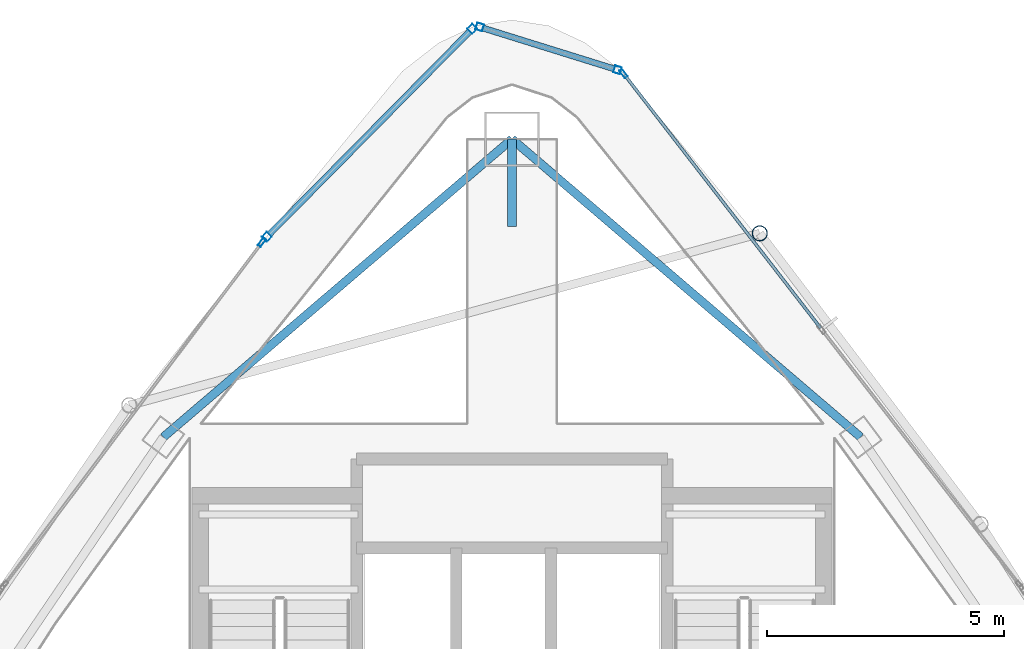
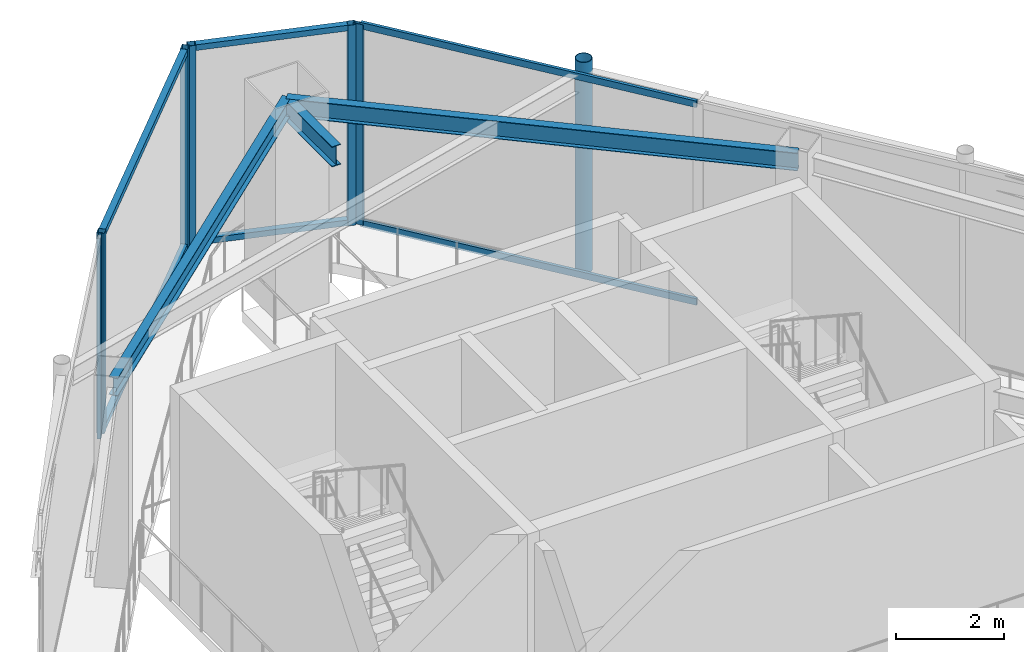
# One storey, part 14 of 19: 13 members, 3 beams, 4 elements without a shape of their own.
"""IFC4 building model written with IfcOpenShell, lengths in metres."""

from ifc_helpers import new_model, si_unit, direction, frame, origin, origin_2d, place, context, subcontext, project, spatial, hollow_rectangle, hollow_circle, i_section, extrude, material, layer, layer_set, material_profile, profile_set, type_object, element, aggregate, save


model = new_model("IFC4")

# Units and contexts
model_context = context("Model", 3, precision=1e-05, world=origin(), true_north=direction((0.0, 1.0)))
body_context = subcontext(model_context, "Body", "Model", "MODEL_VIEW")
ifc_project = project(units=[si_unit("LENGTHUNIT", "METRE"), si_unit("AREAUNIT", "SQUARE_METRE"), si_unit("VOLUMEUNIT", "CUBIC_METRE"), si_unit("PLANEANGLEUNIT", "RADIAN"), si_unit("MASSUNIT", "GRAM", prefix="KILO")], contexts=[model_context])

# Site, building, storey
site_placement = place(None, origin())
site = spatial("IfcSite", under=ifc_project, at=site_placement, CompositionType="ELEMENT")
building_placement = place(site_placement, origin())
building = spatial("IfcBuilding", under=site, at=building_placement, Name="Orvanel Arch Residences", CompositionType="ELEMENT")
storey_placement = place(building_placement, frame((0.0, 0.0, 295.699951171875)))
storey = spatial("IfcBuildingStorey", under=building, at=storey_placement, Name="L83", CompositionType="ELEMENT", Elevation=295.699951171875)

# Beam
ifc_material_1 = material(Name="Structural steel AS/NZS 3679.1 Grade 300 (300 MPa)", Category="steel")
ifc_material_profile_1 = material_profile(ifc_material_1, i_section(OverallWidth=0.19091796875, OverallDepth=0.4599609375, WebThickness=0.010009765625, FlangeThickness=0.01611328125, at=origin_2d()), Name="460UB82.1")
ifc_profile_set_1 = profile_set([ifc_material_profile_1], Name="Structural steel AS/NZS 3679.1 Grade 300 (300 MPa)")
beam_type_1 = type_object("IfcBeamType", Name="BG-460UB", PredefinedType="BEAM", material=ifc_profile_set_1)
beam_placement = place(storey_placement, frame((33.0, 39.550048828125, 4.320068359375), z_axis=(0.0, 1.0, 0.0), x_axis=(-1.0, 0.0, 0.0)))
element("IfcBeam", 1, at=beam_placement, inside=storey, type_object=beam_type_1, Name="L83 North Radial Girder", PredefinedType="BEAM", context=body_context, shape_type="SweptSolid", body=[
    extrude(i_section(OverallWidth=0.19091796875, OverallDepth=0.4599609375, WebThickness=0.010009765625, FlangeThickness=0.01611328125, at=origin_2d()), origin(), (0.0, 0.0, 1.0), 1.847900390625),
])

# Curtain wall, members
ifc_material_2 = material(Name="Bronze-anodised aluminium AA6063-T6", Category="aluminium")
ifc_layer = layer(ifc_material_2, 0.2099609375)
ifc_layer_set = layer_set([ifc_layer], Name="Bronze-anodised aluminium AA6063-T6")
curtain_wall_type = type_object("IfcCurtainWallType", Name="CW7-TOP-SYS", PredefinedType="NOTDEFINED", material=ifc_layer_set)
curtain_wall_1_placement = place(storey_placement, origin())
curtain_wall_1 = element("IfcCurtainWall", 2, at=curtain_wall_1_placement, inside=storey, type_object=curtain_wall_type, Name="L83 CW7-TOP-SYS Unitised Curtain Wall", PredefinedType="NOTDEFINED")
ifc_material_profile_2 = material_profile(ifc_material_2, hollow_rectangle(XDim=0.14990234375, YDim=0.14990234375, WallThickness=0.0048828125, at=origin_2d()), Name="ALU150x150x5")
ifc_profile_set_2 = profile_set([ifc_material_profile_2], Name="Bronze-anodised aluminium AA6063-T6")
member_type_1 = type_object("IfcMemberType", Name="MUL-150x150", PredefinedType="MULLION", material=ifc_profile_set_2)
member_1_placement = place(storey_placement, frame((35.224365234375, 42.856201171875, 0.0), z_axis=(0.0, 0.0, 1.0), x_axis=(-0.297187104186, -0.954819263057, 0.0)))
member_1 = element("IfcMember", 3, at=member_1_placement, type_object=member_type_1, Name="CW-S7 mullion 1", PredefinedType="MULLION", context=body_context, shape_type="SweptSolid", body=[
    extrude(hollow_rectangle(XDim=0.14990234375, YDim=0.14990234375, WallThickness=0.0048828125, at=origin_2d()), origin(), (0.0, 0.0, 1.0), 4.550048828125),
])
member_2_placement = place(storey_placement, frame((32.318603515625, 43.7607421875, 0.0), z_axis=(0.0, 0.0, 1.0), x_axis=(-0.297187104186, -0.954819263057, 0.0)))
member_2 = element("IfcMember", 4, at=member_2_placement, type_object=member_type_1, Name="CW-S7 mullion 2", PredefinedType="MULLION", context=body_context, shape_type="SweptSolid", body=[
    extrude(hollow_rectangle(XDim=0.14990234375, YDim=0.14990234375, WallThickness=0.0048828125, at=origin_2d()), origin(), (0.0, 0.0, 1.0), 4.550048828125),
])

curtain_wall_2_placement = place(storey_placement, origin())
curtain_wall_2 = element("IfcCurtainWall", 5, at=curtain_wall_2_placement, inside=storey, type_object=curtain_wall_type, Name="L83 CW7-TOP-SYS Unitised Curtain Wall", PredefinedType="NOTDEFINED")
member_3_placement = place(storey_placement, frame((32.161376953125, 43.7216796875, 0.0), z_axis=(0.0, 0.0, 1.0), x_axis=(0.71152705503, -0.702658700907, 0.0)))
member_3 = element("IfcMember", 6, at=member_3_placement, type_object=member_type_1, Name="CW-S7 mullion 1", PredefinedType="MULLION", context=body_context, shape_type="SweptSolid", body=[
    extrude(hollow_rectangle(XDim=0.14990234375, YDim=0.14990234375, WallThickness=0.0048828125, at=origin_2d()), origin(), (0.0, 0.0, 1.0), 4.550048828125),
])
member_4_placement = place(storey_placement, frame((27.82958984375, 39.33544921875, 0.0), z_axis=(0.0, 0.0, 1.0), x_axis=(0.71152705503, -0.702658700907, 0.0)))
member_4 = element("IfcMember", 7, at=member_4_placement, type_object=member_type_1, Name="CW-S7 mullion 2", PredefinedType="MULLION", context=body_context, shape_type="SweptSolid", body=[
    extrude(hollow_rectangle(XDim=0.14990234375, YDim=0.14990234375, WallThickness=0.0048828125, at=origin_2d()), origin(), (0.0, 0.0, 1.0), 4.550048828125),
])

# Curtain wall, member
curtain_wall_3_placement = place(storey_placement, origin())
curtain_wall_3 = element("IfcCurtainWall", 8, at=curtain_wall_3_placement, inside=storey, type_object=curtain_wall_type, Name="L83 CW7-TOP-SYS Unitised Curtain Wall", PredefinedType="NOTDEFINED")
ifc_material_profile_3 = material_profile(ifc_material_2, hollow_rectangle(XDim=0.074951171875, YDim=0.199951171875, WallThickness=0.0048828125, at=origin_2d()), Name="ALU200x75x5")
ifc_profile_set_3 = profile_set([ifc_material_profile_3], Name="Bronze-anodised aluminium AA6063-T6")
member_type_2 = type_object("IfcMemberType", Name="MUL-200x75", PredefinedType="MULLION", material=ifc_profile_set_3)
member_5_placement = place(storey_placement, frame((27.728515625, 39.221923828125, 0.0), z_axis=(0.0, 0.0, 1.0), x_axis=(0.799341985759, -0.600876351509, 0.0)))
member_5 = element("IfcMember", 9, at=member_5_placement, type_object=member_type_2, Name="CW-S7 mullion 1", PredefinedType="MULLION", context=body_context, shape_type="SweptSolid", body=[
    extrude(hollow_rectangle(XDim=0.074951171875, YDim=0.199951171875, WallThickness=0.0048828125, at=origin_2d()), origin(), (0.0, 0.0, 1.0), 4.550048828125),
])
aggregate(curtain_wall_3, [member_5])

curtain_wall_4_placement = place(storey_placement, origin())
curtain_wall_4 = element("IfcCurtainWall", 10, at=curtain_wall_4_placement, inside=storey, type_object=curtain_wall_type, Name="L83 CW7-TOP-SYS Unitised Curtain Wall", PredefinedType="NOTDEFINED")
member_6_placement = place(storey_placement, frame((35.349853515625, 42.782470703125, 0.0), z_axis=(0.0, 0.0, 1.0), x_axis=(-0.790656592833, -0.612259873102, 0.0)))
member_6 = element("IfcMember", 11, at=member_6_placement, type_object=member_type_2, Name="CW-S7 mullion 3", PredefinedType="MULLION", context=body_context, shape_type="SweptSolid", body=[
    extrude(hollow_rectangle(XDim=0.074951171875, YDim=0.199951171875, WallThickness=0.0048828125, at=origin_2d()), origin(), (0.0, 0.0, 1.0), 4.550048828125),
])

# Beams
ifc_material_profile_4 = material_profile(ifc_material_1, i_section(OverallWidth=0.177978515625, OverallDepth=0.406005859375, WebThickness=0.0078125, FlangeThickness=0.0126953125, at=origin_2d()), Name="410UB59.7")
ifc_profile_set_4 = profile_set([ifc_material_profile_4], Name="Structural steel AS/NZS 3679.1 Grade 300 (300 MPa)")
beam_type_2 = type_object("IfcBeamType", Name="OB-410UB", PredefinedType="SPANDREL", material=ifc_profile_set_4)
for number, where, z_axis, x_axis, name in (
    (12, (40.35205078125, 35.113037109375, 4.34716796875), (-0.760116518398, 0.649786794617, 0.0), (-0.649786794617, -0.760116518398, 0.0), "L83 Perimeter Spandrel Beam 09"),
    (13, (33.0, 41.39794921875, 4.34716796875), (-0.760116518398, -0.649786794617, 0.0), (0.649786794617, -0.760116518398, 0.0), "L83 Perimeter Spandrel Beam 10"),
):
    element("IfcBeam", number, at=place(storey_placement, frame(where, z_axis=z_axis, x_axis=x_axis)), inside=storey, type_object=beam_type_2, Name=name, PredefinedType="SPANDREL", context=body_context, shape_type="SweptSolid", body=[
        extrude(i_section(OverallWidth=0.177978515625, OverallDepth=0.406005859375, WebThickness=0.0078125, FlangeThickness=0.0126953125, at=origin_2d()), origin(), (0.0, 0.0, 1.0), 9.67236328125),
    ])

# Member
ifc_material_3 = material(Name="Structural steel AS/NZS 1163 C350L0 (Grade 350)", Category="steel")
ifc_material_profile_5 = material_profile(ifc_material_3, hollow_circle(Radius=0.162109375, WallThickness=0.0126953125, at=origin_2d()), Name="CHS324x12.7")
ifc_profile_set_5 = profile_set([ifc_material_profile_5], Name="Structural steel AS/NZS 1163 C350L0 (Grade 350)")
member_type_3 = type_object("IfcMemberType", Name="ST-324CHS-EXT", PredefinedType="STRUT", material=ifc_profile_set_5)
member_7_placement = place(storey_placement, frame((38.22412109375, 39.409912109375, 0.0), z_axis=(0.0, 0.0, 1.0), x_axis=(1.0, 0.0, 0.0)))
element("IfcMember", 14, at=member_7_placement, inside=storey, type_object=member_type_3, Name="L83 Outer Perimeter Frame Post 12", PredefinedType="STRUT", context=body_context, shape_type="SweptSolid", body=[
    extrude(hollow_circle(Radius=0.162109375, WallThickness=0.0126953125, at=origin_2d()), origin(), (0.0, 0.0, 1.0), 4.800048828125),
])

ifc_material_profile_6 = material_profile(ifc_material_2, hollow_rectangle(XDim=0.1298828125, YDim=0.1298828125, WallThickness=0.00439453125, at=origin_2d()), Name="ALU130x130x4.5")
ifc_profile_set_6 = profile_set([ifc_material_profile_6], Name="Bronze-anodised aluminium AA6063-T6")
member_type_4 = type_object("IfcMemberType", Name="TRN-130x130", PredefinedType="USERDEFINED", material=ifc_profile_set_6)
member_8_placement = place(storey_placement, frame((35.15283203125, 42.878662109375, 0.06494140625), z_axis=(-0.954821665977, 0.297179383843, 0.0), x_axis=(-0.297179383843, -0.954821665977, 0.0)))
member_8 = element("IfcMember", 15, at=member_8_placement, type_object=member_type_4, Name="CW-S7 transom 1.1", ObjectType="TRANSOM", PredefinedType="USERDEFINED", context=body_context, shape_type="SweptSolid", body=[
    extrude(hollow_rectangle(XDim=0.1298828125, YDim=0.1298828125, WallThickness=0.00439453125, at=origin_2d()), origin(), (0.0, 0.0, 1.0), 2.893310546875),
])

member_9_placement = place(storey_placement, frame((35.15283203125, 42.878662109375, 4.485107421875), z_axis=(-0.954821665977, 0.297179383843, 0.0), x_axis=(-0.297179383843, -0.954821665977, 0.0)))
member_9 = element("IfcMember", 16, at=member_9_placement, type_object=member_type_4, Name="CW-S7 transom 1.2", ObjectType="TRANSOM", PredefinedType="USERDEFINED", context=body_context, shape_type="SweptSolid", body=[
    extrude(hollow_rectangle(XDim=0.1298828125, YDim=0.1298828125, WallThickness=0.00439453125, at=origin_2d()), origin(), (0.0, 0.0, 1.0), 2.893310546875),
])

aggregate(curtain_wall_1, [member_1, member_2, member_8, member_9])

member_10_placement = place(storey_placement, frame((32.108642578125, 43.668212890625, 0.06494140625), z_axis=(-0.702668534455, -0.711517343912, 0.0), x_axis=(0.711517343912, -0.702668534455, 0.0)))
member_10 = element("IfcMember", 17, at=member_10_placement, type_object=member_type_4, Name="CW-S7 transom 1.1", ObjectType="TRANSOM", PredefinedType="USERDEFINED", context=body_context, shape_type="SweptSolid", body=[
    extrude(hollow_rectangle(XDim=0.1298828125, YDim=0.1298828125, WallThickness=0.00439453125, at=origin_2d()), origin(), (0.0, 0.0, 1.0), 6.0146484375),
])

member_11_placement = place(storey_placement, frame((32.108642578125, 43.668212890625, 4.485107421875), z_axis=(-0.702668534455, -0.711517343912, 0.0), x_axis=(0.711517343912, -0.702668534455, 0.0)))
member_11 = element("IfcMember", 18, at=member_11_placement, type_object=member_type_4, Name="CW-S7 transom 1.2", ObjectType="TRANSOM", PredefinedType="USERDEFINED", context=body_context, shape_type="SweptSolid", body=[
    extrude(hollow_rectangle(XDim=0.1298828125, YDim=0.1298828125, WallThickness=0.00439453125, at=origin_2d()), origin(), (0.0, 0.0, 1.0), 6.0146484375),
])

aggregate(curtain_wall_2, [member_3, member_4, member_10, member_11])

ifc_material_profile_7 = material_profile(ifc_material_2, hollow_rectangle(XDim=0.06494140625, YDim=0.14990234375, WallThickness=0.00390625, at=origin_2d()), Name="ALU150x65x4")
ifc_profile_set_7 = profile_set([ifc_material_profile_7], Name="Bronze-anodised aluminium AA6063-T6")
member_type_5 = type_object("IfcMemberType", Name="TRN-150x65", PredefinedType="USERDEFINED", material=ifc_profile_set_7)
member_12_placement = place(storey_placement, frame((39.506591796875, 37.41455078125, 0.032470703125), z_axis=(-0.61226945959, 0.790649169261, 0.0), x_axis=(-0.790649169261, -0.61226945959, 0.0)))
member_12 = element("IfcMember", 19, at=member_12_placement, type_object=member_type_5, Name="CW-S7 transom 2.1", ObjectType="TRANSOM", PredefinedType="USERDEFINED", context=body_context, shape_type="SweptSolid", body=[
    extrude(hollow_rectangle(XDim=0.06494140625, YDim=0.14990234375, WallThickness=0.00390625, at=origin_2d()), origin(), (0.0, 0.0, 1.0), 6.75146484375),
])

member_13_placement = place(storey_placement, frame((39.506591796875, 37.41455078125, 4.517578125), z_axis=(-0.61226945959, 0.790649169261, 0.0), x_axis=(-0.790649169261, -0.61226945959, 0.0)))
member_13 = element("IfcMember", 20, at=member_13_placement, type_object=member_type_5, Name="CW-S7 transom 2.2", ObjectType="TRANSOM", PredefinedType="USERDEFINED", context=body_context, shape_type="SweptSolid", body=[
    extrude(hollow_rectangle(XDim=0.06494140625, YDim=0.14990234375, WallThickness=0.00390625, at=origin_2d()), origin(), (0.0, 0.0, 1.0), 6.75146484375),
])

aggregate(curtain_wall_4, [member_6, member_12, member_13])

save(model, "model.ifc")
